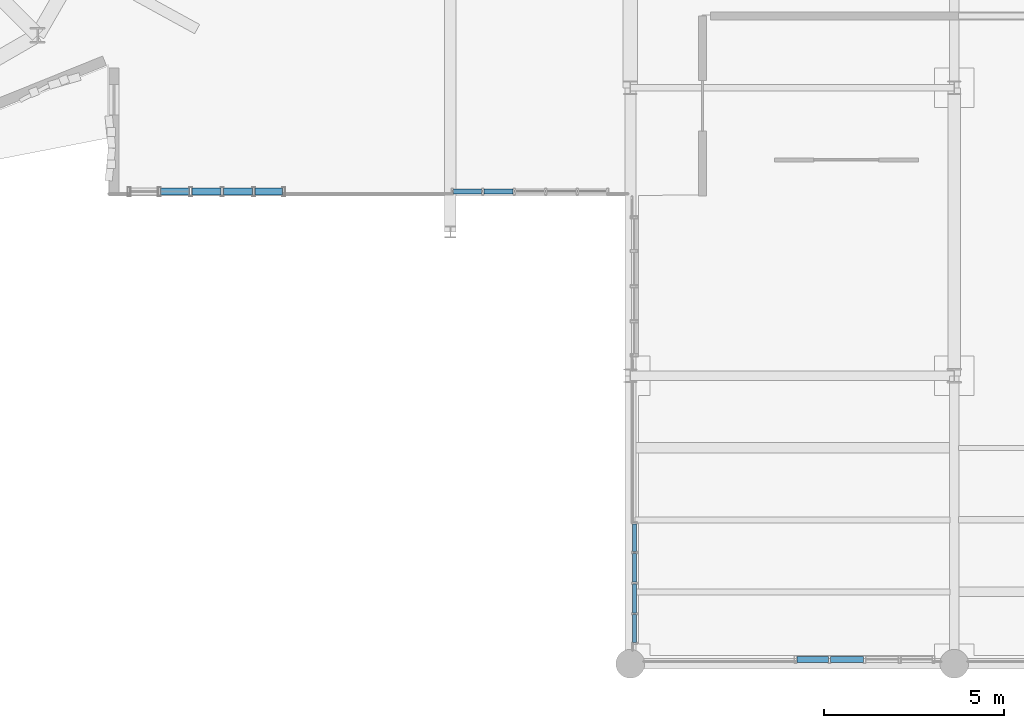
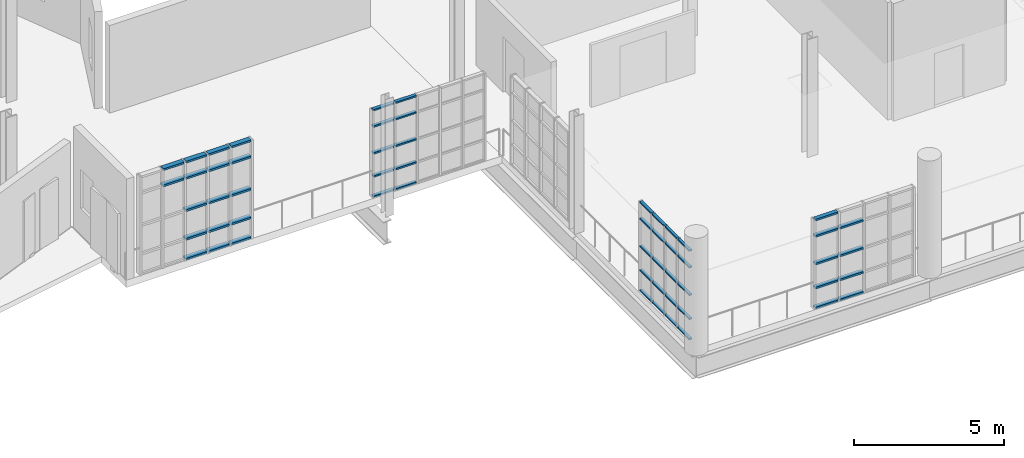
# One storey, part 63 of 122: 56 members, 4 elements without a shape of their own.
"""IFC4 building model written with IfcOpenShell, lengths in metres."""

from ifc_helpers import new_model, si_unit, direction, frame, origin, origin_2d, place, context, subcontext, project, spatial, hollow_rectangle, extrude, material, layer, layer_set, material_profile, profile_set, type_object, element, aggregate, save


model = new_model("IFC4")

# Units and contexts
model_context = context("Model", 3, precision=1e-05, world=origin(), true_north=direction((0.0, 1.0)))
body_context = subcontext(model_context, "Body", "Model", "MODEL_VIEW")
ifc_project = project(units=[si_unit("LENGTHUNIT", "METRE"), si_unit("AREAUNIT", "SQUARE_METRE"), si_unit("VOLUMEUNIT", "CUBIC_METRE"), si_unit("PLANEANGLEUNIT", "RADIAN"), si_unit("MASSUNIT", "GRAM", prefix="KILO"), si_unit("THERMODYNAMICTEMPERATUREUNIT", "KELVIN"), si_unit("POWERUNIT", "WATT")], contexts=[model_context])

# Site, building, storey
site_placement = place(None, origin())
site = spatial("IfcSite", under=ifc_project, at=site_placement, CompositionType="ELEMENT")
building_placement = place(site_placement, origin())
building = spatial("IfcBuilding", under=site, at=building_placement, Name="Zelmaris Science Centre", CompositionType="ELEMENT")
storey_placement = place(building_placement, frame((0.0, 0.0, 10.800048828125)))
storey = spatial("IfcBuildingStorey", under=building, at=storey_placement, Name="L02", CompositionType="ELEMENT", Elevation=10.800048828125)

# Curtain wall, members
ifc_material = material(Name="Anodised architectural aluminium 6063-T6", Category="aluminium")
ifc_layer_1 = layer(ifc_material, 0.219970703125, Name="Anodised architectural aluminium 6063-T6")
ifc_layer_set_1 = layer_set([ifc_layer_1], Name="Anodised architectural aluminium 6063-T6")
curtain_wall_type_1 = type_object("IfcCurtainWallType", Name="Curtain Wall CW-04", PredefinedType="USERDEFINED", material=ifc_layer_set_1)
curtain_wall_1_placement = place(storey_placement, origin())
curtain_wall_1 = element("IfcCurtainWall", 1, at=curtain_wall_1_placement, inside=storey, type_object=curtain_wall_type_1, Name="L02 Unitised curtain wall 244", ObjectType="GLAZED CURTAIN WALL", PredefinedType="USERDEFINED")
ifc_material_profile_1 = material_profile(ifc_material, hollow_rectangle(XDim=0.06005859375, YDim=0.110107421875, WallThickness=0.0029296875, at=origin_2d()), Name="ALU-TRN-60X110")
ifc_profile_set_1 = profile_set([ifc_material_profile_1], Name="Anodised architectural aluminium 6063-T6")
member_type_1 = type_object("IfcMemberType", Name="ALU-TRN-60X110", PredefinedType="USERDEFINED", material=ifc_profile_set_1)
member_1_placement = place(storey_placement, frame((108.119384765625, 8.59228515625, 0.010986328125), z_axis=(-0.000948766176, 0.999999549921, 0.0), x_axis=(0.0, 0.0, 1.0)))
member_1 = element("IfcMember", 2, at=member_1_placement, type_object=member_type_1, Name="CW-04 transom 1.1", ObjectType="TRANSOM", PredefinedType="USERDEFINED", context=body_context, shape_type="SweptSolid", body=[
    extrude(hollow_rectangle(XDim=0.06005859375, YDim=0.110107421875, WallThickness=0.0029296875, at=origin_2d()), origin(), (0.0, 0.0, 1.0), 0.77197265625),
])
member_2_placement = place(storey_placement, frame((108.119384765625, 8.59228515625, 0.8349609375), z_axis=(-0.000948766176, 0.999999549921, 0.0), x_axis=(0.0, 0.0, 1.0)))
member_2 = element("IfcMember", 3, at=member_2_placement, type_object=member_type_1, Name="CW-04 transom 1.2", ObjectType="TRANSOM", PredefinedType="USERDEFINED", context=body_context, shape_type="SweptSolid", body=[
    extrude(hollow_rectangle(XDim=0.06005859375, YDim=0.110107421875, WallThickness=0.0029296875, at=origin_2d()), origin(), (0.0, 0.0, 1.0), 0.77197265625),
])
member_3_placement = place(storey_placement, frame((108.119384765625, 8.59228515625, 1.814453125), z_axis=(-0.000948766176, 0.999999549921, 0.0), x_axis=(0.0, 0.0, 1.0)))
member_3 = element("IfcMember", 4, at=member_3_placement, type_object=member_type_1, Name="CW-04 transom 1.3", ObjectType="TRANSOM", PredefinedType="USERDEFINED", context=body_context, shape_type="SweptSolid", body=[
    extrude(hollow_rectangle(XDim=0.06005859375, YDim=0.110107421875, WallThickness=0.0029296875, at=origin_2d()), origin(), (0.0, 0.0, 1.0), 0.77197265625),
])
member_4_placement = place(storey_placement, frame((108.119384765625, 8.59228515625, 2.94384765625), z_axis=(-0.000948766176, 0.999999549921, 0.0), x_axis=(0.0, 0.0, 1.0)))
member_4 = element("IfcMember", 5, at=member_4_placement, type_object=member_type_1, Name="CW-04 transom 1.4", ObjectType="TRANSOM", PredefinedType="USERDEFINED", context=body_context, shape_type="SweptSolid", body=[
    extrude(hollow_rectangle(XDim=0.06005859375, YDim=0.110107421875, WallThickness=0.0029296875, at=origin_2d()), origin(), (0.0, 0.0, 1.0), 0.77197265625),
])
member_5_placement = place(storey_placement, frame((108.119384765625, 8.59228515625, 3.617919921875), z_axis=(-0.000948766176, 0.999999549921, 0.0), x_axis=(0.0, 0.0, 1.0)))
member_5 = element("IfcMember", 6, at=member_5_placement, type_object=member_type_1, Name="CW-04 transom 1.5", ObjectType="TRANSOM", PredefinedType="USERDEFINED", context=body_context, shape_type="SweptSolid", body=[
    extrude(hollow_rectangle(XDim=0.06005859375, YDim=0.110107421875, WallThickness=0.0029296875, at=origin_2d()), origin(), (0.0, 0.0, 1.0), 0.77197265625),
])
member_6_placement = place(storey_placement, frame((108.11865234375, 9.416259765625, 0.010986328125), z_axis=(-0.001223989291, 0.999999250925, 0.0), x_axis=(0.0, 0.0, 1.0)))
member_6 = element("IfcMember", 7, at=member_6_placement, type_object=member_type_1, Name="CW-04 transom 2.1", ObjectType="TRANSOM", PredefinedType="USERDEFINED", context=body_context, shape_type="SweptSolid", body=[
    extrude(hollow_rectangle(XDim=0.06005859375, YDim=0.110107421875, WallThickness=0.0029296875, at=origin_2d()), origin(), (0.0, 0.0, 1.0), 0.7978515625),
])
member_7_placement = place(storey_placement, frame((108.11865234375, 9.416259765625, 0.8349609375), z_axis=(-0.001223989291, 0.999999250925, 0.0), x_axis=(0.0, 0.0, 1.0)))
member_7 = element("IfcMember", 8, at=member_7_placement, type_object=member_type_1, Name="CW-04 transom 2.2", ObjectType="TRANSOM", PredefinedType="USERDEFINED", context=body_context, shape_type="SweptSolid", body=[
    extrude(hollow_rectangle(XDim=0.06005859375, YDim=0.110107421875, WallThickness=0.0029296875, at=origin_2d()), origin(), (0.0, 0.0, 1.0), 0.7978515625),
])
member_8_placement = place(storey_placement, frame((108.11865234375, 9.416259765625, 1.814453125), z_axis=(-0.001223989291, 0.999999250925, 0.0), x_axis=(0.0, 0.0, 1.0)))
member_8 = element("IfcMember", 9, at=member_8_placement, type_object=member_type_1, Name="CW-04 transom 2.3", ObjectType="TRANSOM", PredefinedType="USERDEFINED", context=body_context, shape_type="SweptSolid", body=[
    extrude(hollow_rectangle(XDim=0.06005859375, YDim=0.110107421875, WallThickness=0.0029296875, at=origin_2d()), origin(), (0.0, 0.0, 1.0), 0.7978515625),
])
member_9_placement = place(storey_placement, frame((108.11865234375, 9.416259765625, 2.94384765625), z_axis=(-0.001223989291, 0.999999250925, 0.0), x_axis=(0.0, 0.0, 1.0)))
member_9 = element("IfcMember", 10, at=member_9_placement, type_object=member_type_1, Name="CW-04 transom 2.4", ObjectType="TRANSOM", PredefinedType="USERDEFINED", context=body_context, shape_type="SweptSolid", body=[
    extrude(hollow_rectangle(XDim=0.06005859375, YDim=0.110107421875, WallThickness=0.0029296875, at=origin_2d()), origin(), (0.0, 0.0, 1.0), 0.7978515625),
])
member_10_placement = place(storey_placement, frame((108.11865234375, 9.416259765625, 3.617919921875), z_axis=(-0.001223989291, 0.999999250925, 0.0), x_axis=(0.0, 0.0, 1.0)))
member_10 = element("IfcMember", 11, at=member_10_placement, type_object=member_type_1, Name="CW-04 transom 2.5", ObjectType="TRANSOM", PredefinedType="USERDEFINED", context=body_context, shape_type="SweptSolid", body=[
    extrude(hollow_rectangle(XDim=0.06005859375, YDim=0.110107421875, WallThickness=0.0029296875, at=origin_2d()), origin(), (0.0, 0.0, 1.0), 0.7978515625),
])
member_11_placement = place(storey_placement, frame((108.11767578125, 10.26611328125, 0.010986328125), z_axis=(-0.000917711452, 0.999999578903, 0.0), x_axis=(0.0, 0.0, 1.0)))
member_11 = element("IfcMember", 12, at=member_11_placement, type_object=member_type_1, Name="CW-04 transom 3.1", ObjectType="TRANSOM", PredefinedType="USERDEFINED", context=body_context, shape_type="SweptSolid", body=[
    extrude(hollow_rectangle(XDim=0.06005859375, YDim=0.110107421875, WallThickness=0.0029296875, at=origin_2d()), origin(), (0.0, 0.0, 1.0), 0.798095703125),
])
member_12_placement = place(storey_placement, frame((108.11767578125, 10.26611328125, 0.8349609375), z_axis=(-0.000917711452, 0.999999578903, 0.0), x_axis=(0.0, 0.0, 1.0)))
member_12 = element("IfcMember", 13, at=member_12_placement, type_object=member_type_1, Name="CW-04 transom 3.2", ObjectType="TRANSOM", PredefinedType="USERDEFINED", context=body_context, shape_type="SweptSolid", body=[
    extrude(hollow_rectangle(XDim=0.06005859375, YDim=0.110107421875, WallThickness=0.0029296875, at=origin_2d()), origin(), (0.0, 0.0, 1.0), 0.798095703125),
])
member_13_placement = place(storey_placement, frame((108.11767578125, 10.26611328125, 1.814453125), z_axis=(-0.000917711452, 0.999999578903, 0.0), x_axis=(0.0, 0.0, 1.0)))
member_13 = element("IfcMember", 14, at=member_13_placement, type_object=member_type_1, Name="CW-04 transom 3.3", ObjectType="TRANSOM", PredefinedType="USERDEFINED", context=body_context, shape_type="SweptSolid", body=[
    extrude(hollow_rectangle(XDim=0.06005859375, YDim=0.110107421875, WallThickness=0.0029296875, at=origin_2d()), origin(), (0.0, 0.0, 1.0), 0.798095703125),
])
member_14_placement = place(storey_placement, frame((108.11767578125, 10.26611328125, 2.94384765625), z_axis=(-0.000917711452, 0.999999578903, 0.0), x_axis=(0.0, 0.0, 1.0)))
member_14 = element("IfcMember", 15, at=member_14_placement, type_object=member_type_1, Name="CW-04 transom 3.4", ObjectType="TRANSOM", PredefinedType="USERDEFINED", context=body_context, shape_type="SweptSolid", body=[
    extrude(hollow_rectangle(XDim=0.06005859375, YDim=0.110107421875, WallThickness=0.0029296875, at=origin_2d()), origin(), (0.0, 0.0, 1.0), 0.798095703125),
])
member_15_placement = place(storey_placement, frame((108.11767578125, 10.26611328125, 3.617919921875), z_axis=(-0.000917711452, 0.999999578903, 0.0), x_axis=(0.0, 0.0, 1.0)))
member_15 = element("IfcMember", 16, at=member_15_placement, type_object=member_type_1, Name="CW-04 transom 3.5", ObjectType="TRANSOM", PredefinedType="USERDEFINED", context=body_context, shape_type="SweptSolid", body=[
    extrude(hollow_rectangle(XDim=0.06005859375, YDim=0.110107421875, WallThickness=0.0029296875, at=origin_2d()), origin(), (0.0, 0.0, 1.0), 0.798095703125),
])
member_16_placement = place(storey_placement, frame((108.11669921875, 11.1162109375, 0.010986328125), z_axis=(-0.000948766176, 0.999999549921, 0.0), x_axis=(0.0, 0.0, 1.0)))
member_16 = element("IfcMember", 17, at=member_16_placement, type_object=member_type_1, Name="CW-04 transom 4.1", ObjectType="TRANSOM", PredefinedType="USERDEFINED", context=body_context, shape_type="SweptSolid", body=[
    extrude(hollow_rectangle(XDim=0.06005859375, YDim=0.110107421875, WallThickness=0.0029296875, at=origin_2d()), origin(), (0.0, 0.0, 1.0), 0.77197265625),
])
member_17_placement = place(storey_placement, frame((108.11669921875, 11.1162109375, 0.8349609375), z_axis=(-0.000948766176, 0.999999549921, 0.0), x_axis=(0.0, 0.0, 1.0)))
member_17 = element("IfcMember", 18, at=member_17_placement, type_object=member_type_1, Name="CW-04 transom 4.2", ObjectType="TRANSOM", PredefinedType="USERDEFINED", context=body_context, shape_type="SweptSolid", body=[
    extrude(hollow_rectangle(XDim=0.06005859375, YDim=0.110107421875, WallThickness=0.0029296875, at=origin_2d()), origin(), (0.0, 0.0, 1.0), 0.77197265625),
])
member_18_placement = place(storey_placement, frame((108.11669921875, 11.1162109375, 1.814453125), z_axis=(-0.000948766176, 0.999999549921, 0.0), x_axis=(0.0, 0.0, 1.0)))
member_18 = element("IfcMember", 19, at=member_18_placement, type_object=member_type_1, Name="CW-04 transom 4.3", ObjectType="TRANSOM", PredefinedType="USERDEFINED", context=body_context, shape_type="SweptSolid", body=[
    extrude(hollow_rectangle(XDim=0.06005859375, YDim=0.110107421875, WallThickness=0.0029296875, at=origin_2d()), origin(), (0.0, 0.0, 1.0), 0.77197265625),
])
member_19_placement = place(storey_placement, frame((108.11669921875, 11.1162109375, 2.94384765625), z_axis=(-0.000948766176, 0.999999549921, 0.0), x_axis=(0.0, 0.0, 1.0)))
member_19 = element("IfcMember", 20, at=member_19_placement, type_object=member_type_1, Name="CW-04 transom 4.4", ObjectType="TRANSOM", PredefinedType="USERDEFINED", context=body_context, shape_type="SweptSolid", body=[
    extrude(hollow_rectangle(XDim=0.06005859375, YDim=0.110107421875, WallThickness=0.0029296875, at=origin_2d()), origin(), (0.0, 0.0, 1.0), 0.77197265625),
])
member_20_placement = place(storey_placement, frame((108.11669921875, 11.1162109375, 3.617919921875), z_axis=(-0.000948766176, 0.999999549921, 0.0), x_axis=(0.0, 0.0, 1.0)))
member_20 = element("IfcMember", 21, at=member_20_placement, type_object=member_type_1, Name="CW-04 transom 4.5", ObjectType="TRANSOM", PredefinedType="USERDEFINED", context=body_context, shape_type="SweptSolid", body=[
    extrude(hollow_rectangle(XDim=0.06005859375, YDim=0.110107421875, WallThickness=0.0029296875, at=origin_2d()), origin(), (0.0, 0.0, 1.0), 0.77197265625),
])
aggregate(curtain_wall_1, [member_1, member_2, member_3, member_4, member_5, member_6, member_7, member_8, member_9, member_10, member_11, member_12, member_13, member_14, member_15, member_16, member_17, member_18, member_19, member_20])

ifc_layer_2 = layer(ifc_material, 0.2099609375, Name="Anodised architectural aluminium 6063-T6")
ifc_layer_set_2 = layer_set([ifc_layer_2], Name="Anodised architectural aluminium 6063-T6")
curtain_wall_type_2 = type_object("IfcCurtainWallType", Name="Curtain Wall CW-03", PredefinedType="USERDEFINED", material=ifc_layer_set_2)
curtain_wall_2_placement = place(storey_placement, origin())
curtain_wall_2 = element("IfcCurtainWall", 22, at=curtain_wall_2_placement, inside=storey, type_object=curtain_wall_type_2, Name="L02 Unitised curtain wall 247", ObjectType="GLAZED CURTAIN WALL", PredefinedType="USERDEFINED")
ifc_material_profile_2 = material_profile(ifc_material, hollow_rectangle(XDim=0.06494140625, YDim=0.1298828125, WallThickness=0.00341796875, at=origin_2d()), Name="ALU-TRN-65X130")
ifc_profile_set_2 = profile_set([ifc_material_profile_2], Name="Anodised architectural aluminium 6063-T6")
member_type_2 = type_object("IfcMemberType", Name="ALU-TRN-65X130", PredefinedType="USERDEFINED", material=ifc_profile_set_2)
member_21_placement = place(storey_placement, frame((104.74755859375, 21.1201171875, 0.013427734375), z_axis=(-1.0, 0.0, 0.0), x_axis=(0.0, 0.0, 1.0)))
member_21 = element("IfcMember", 23, at=member_21_placement, type_object=member_type_2, Name="CW-03 transom 4.1", ObjectType="TRANSOM", PredefinedType="USERDEFINED", context=body_context, shape_type="SweptSolid", body=[
    extrude(hollow_rectangle(XDim=0.06494140625, YDim=0.1298828125, WallThickness=0.00341796875, at=origin_2d()), origin(), (0.0, 0.0, 1.0), 0.817626953125),
])
member_22_placement = place(storey_placement, frame((104.74755859375, 21.1201171875, 0.8349609375), z_axis=(-1.0, 0.0, 0.0), x_axis=(0.0, 0.0, 1.0)))
member_22 = element("IfcMember", 24, at=member_22_placement, type_object=member_type_2, Name="CW-03 transom 4.2", ObjectType="TRANSOM", PredefinedType="USERDEFINED", context=body_context, shape_type="SweptSolid", body=[
    extrude(hollow_rectangle(XDim=0.06494140625, YDim=0.1298828125, WallThickness=0.00341796875, at=origin_2d()), origin(), (0.0, 0.0, 1.0), 0.817626953125),
])
member_23_placement = place(storey_placement, frame((104.74755859375, 21.1201171875, 1.779052734375), z_axis=(-1.0, 0.0, 0.0), x_axis=(0.0, 0.0, 1.0)))
member_23 = element("IfcMember", 25, at=member_23_placement, type_object=member_type_2, Name="CW-03 transom 4.3", ObjectType="TRANSOM", PredefinedType="USERDEFINED", context=body_context, shape_type="SweptSolid", body=[
    extrude(hollow_rectangle(XDim=0.06494140625, YDim=0.1298828125, WallThickness=0.00341796875, at=origin_2d()), origin(), (0.0, 0.0, 1.0), 0.817626953125),
])
member_24_placement = place(storey_placement, frame((104.74755859375, 21.1201171875, 2.873046875), z_axis=(-1.0, 0.0, 0.0), x_axis=(0.0, 0.0, 1.0)))
member_24 = element("IfcMember", 26, at=member_24_placement, type_object=member_type_2, Name="CW-03 transom 4.4", ObjectType="TRANSOM", PredefinedType="USERDEFINED", context=body_context, shape_type="SweptSolid", body=[
    extrude(hollow_rectangle(XDim=0.06494140625, YDim=0.1298828125, WallThickness=0.00341796875, at=origin_2d()), origin(), (0.0, 0.0, 1.0), 0.817626953125),
])
member_25_placement = place(storey_placement, frame((104.74755859375, 21.1201171875, 3.54443359375), z_axis=(-1.0, 0.0, 0.0), x_axis=(0.0, 0.0, 1.0)))
member_25 = element("IfcMember", 27, at=member_25_placement, type_object=member_type_2, Name="CW-03 transom 4.5", ObjectType="TRANSOM", PredefinedType="USERDEFINED", context=body_context, shape_type="SweptSolid", body=[
    extrude(hollow_rectangle(XDim=0.06494140625, YDim=0.1298828125, WallThickness=0.00341796875, at=origin_2d()), origin(), (0.0, 0.0, 1.0), 0.817626953125),
])
member_26_placement = place(storey_placement, frame((103.872802734375, 21.1201171875, 0.013427734375), z_axis=(-1.0, 0.0, 0.0), x_axis=(0.0, 0.0, 1.0)))
member_26 = element("IfcMember", 28, at=member_26_placement, type_object=member_type_2, Name="CW-03 transom 5.1", ObjectType="TRANSOM", PredefinedType="USERDEFINED", context=body_context, shape_type="SweptSolid", body=[
    extrude(hollow_rectangle(XDim=0.06494140625, YDim=0.1298828125, WallThickness=0.00341796875, at=origin_2d()), origin(), (0.0, 0.0, 1.0), 0.7890625),
])
member_27_placement = place(storey_placement, frame((103.872802734375, 21.1201171875, 0.8349609375), z_axis=(-1.0, 0.0, 0.0), x_axis=(0.0, 0.0, 1.0)))
member_27 = element("IfcMember", 29, at=member_27_placement, type_object=member_type_2, Name="CW-03 transom 5.2", ObjectType="TRANSOM", PredefinedType="USERDEFINED", context=body_context, shape_type="SweptSolid", body=[
    extrude(hollow_rectangle(XDim=0.06494140625, YDim=0.1298828125, WallThickness=0.00341796875, at=origin_2d()), origin(), (0.0, 0.0, 1.0), 0.7890625),
])
member_28_placement = place(storey_placement, frame((103.872802734375, 21.1201171875, 1.779052734375), z_axis=(-1.0, 0.0, 0.0), x_axis=(0.0, 0.0, 1.0)))
member_28 = element("IfcMember", 30, at=member_28_placement, type_object=member_type_2, Name="CW-03 transom 5.3", ObjectType="TRANSOM", PredefinedType="USERDEFINED", context=body_context, shape_type="SweptSolid", body=[
    extrude(hollow_rectangle(XDim=0.06494140625, YDim=0.1298828125, WallThickness=0.00341796875, at=origin_2d()), origin(), (0.0, 0.0, 1.0), 0.7890625),
])
member_29_placement = place(storey_placement, frame((103.872802734375, 21.1201171875, 2.873046875), z_axis=(-1.0, 0.0, 0.0), x_axis=(0.0, 0.0, 1.0)))
member_29 = element("IfcMember", 31, at=member_29_placement, type_object=member_type_2, Name="CW-03 transom 5.4", ObjectType="TRANSOM", PredefinedType="USERDEFINED", context=body_context, shape_type="SweptSolid", body=[
    extrude(hollow_rectangle(XDim=0.06494140625, YDim=0.1298828125, WallThickness=0.00341796875, at=origin_2d()), origin(), (0.0, 0.0, 1.0), 0.7890625),
])
member_30_placement = place(storey_placement, frame((103.872802734375, 21.1201171875, 3.54443359375), z_axis=(-1.0, 0.0, 0.0), x_axis=(0.0, 0.0, 1.0)))
member_30 = element("IfcMember", 32, at=member_30_placement, type_object=member_type_2, Name="CW-03 transom 5.5", ObjectType="TRANSOM", PredefinedType="USERDEFINED", context=body_context, shape_type="SweptSolid", body=[
    extrude(hollow_rectangle(XDim=0.06494140625, YDim=0.1298828125, WallThickness=0.00341796875, at=origin_2d()), origin(), (0.0, 0.0, 1.0), 0.7890625),
])
aggregate(curtain_wall_2, [member_21, member_22, member_23, member_24, member_25, member_26, member_27, member_28, member_29, member_30])

ifc_layer_3 = layer(ifc_material, 0.199951171875, Name="Anodised architectural aluminium 6063-T6")
ifc_layer_set_3 = layer_set([ifc_layer_3], Name="Anodised architectural aluminium 6063-T6")
curtain_wall_type_3 = type_object("IfcCurtainWallType", Name="Curtain Wall CW-02", PredefinedType="USERDEFINED", material=ifc_layer_set_3)
curtain_wall_3_placement = place(storey_placement, origin())
curtain_wall_3 = element("IfcCurtainWall", 33, at=curtain_wall_3_placement, inside=storey, type_object=curtain_wall_type_3, Name="L02 Unitised curtain wall 242", ObjectType="GLAZED CURTAIN WALL", PredefinedType="USERDEFINED")
ifc_material_profile_3 = material_profile(ifc_material, hollow_rectangle(XDim=0.074951171875, YDim=0.159912109375, WallThickness=0.00390625, at=origin_2d()), Name="ALU-TRN-75X160")
ifc_profile_set_3 = profile_set([ifc_material_profile_3], Name="Anodised architectural aluminium 6063-T6")
member_type_3 = type_object("IfcMemberType", Name="ALU-TRN-75X160", PredefinedType="USERDEFINED", material=ifc_profile_set_3)
member_31_placement = place(storey_placement, frame((114.4765625, 8.1201171875, 0.0185546875), z_axis=(-1.0, 0.0, 0.0), x_axis=(0.0, 0.0, 1.0)))
member_31 = element("IfcMember", 34, at=member_31_placement, type_object=member_type_3, Name="CW-02 transom 3.1", ObjectType="TRANSOM", PredefinedType="USERDEFINED", context=body_context, shape_type="SweptSolid", body=[
    extrude(hollow_rectangle(XDim=0.074951171875, YDim=0.159912109375, WallThickness=0.00390625, at=origin_2d()), origin(), (0.0, 0.0, 1.0), 0.907958984375),
])
member_32_placement = place(storey_placement, frame((114.4765625, 8.1201171875, 0.8349609375), z_axis=(-1.0, 0.0, 0.0), x_axis=(0.0, 0.0, 1.0)))
member_32 = element("IfcMember", 35, at=member_32_placement, type_object=member_type_3, Name="CW-02 transom 3.2", ObjectType="TRANSOM", PredefinedType="USERDEFINED", context=body_context, shape_type="SweptSolid", body=[
    extrude(hollow_rectangle(XDim=0.074951171875, YDim=0.159912109375, WallThickness=0.00390625, at=origin_2d()), origin(), (0.0, 0.0, 1.0), 0.907958984375),
])
member_33_placement = place(storey_placement, frame((114.4765625, 8.1201171875, 1.8154296875), z_axis=(-1.0, 0.0, 0.0), x_axis=(0.0, 0.0, 1.0)))
member_33 = element("IfcMember", 36, at=member_33_placement, type_object=member_type_3, Name="CW-02 transom 3.3", ObjectType="TRANSOM", PredefinedType="USERDEFINED", context=body_context, shape_type="SweptSolid", body=[
    extrude(hollow_rectangle(XDim=0.074951171875, YDim=0.159912109375, WallThickness=0.00390625, at=origin_2d()), origin(), (0.0, 0.0, 1.0), 0.907958984375),
])
member_34_placement = place(storey_placement, frame((114.4765625, 8.1201171875, 2.946044921875), z_axis=(-1.0, 0.0, 0.0), x_axis=(0.0, 0.0, 1.0)))
member_34 = element("IfcMember", 37, at=member_34_placement, type_object=member_type_3, Name="CW-02 transom 3.4", ObjectType="TRANSOM", PredefinedType="USERDEFINED", context=body_context, shape_type="SweptSolid", body=[
    extrude(hollow_rectangle(XDim=0.074951171875, YDim=0.159912109375, WallThickness=0.00390625, at=origin_2d()), origin(), (0.0, 0.0, 1.0), 0.907958984375),
])
member_35_placement = place(storey_placement, frame((113.50146484375, 8.1201171875, 0.0185546875), z_axis=(-1.0, 0.0, 0.0), x_axis=(0.0, 0.0, 1.0)))
member_35 = element("IfcMember", 38, at=member_35_placement, type_object=member_type_3, Name="CW-02 transom 4.1", ObjectType="TRANSOM", PredefinedType="USERDEFINED", context=body_context, shape_type="SweptSolid", body=[
    extrude(hollow_rectangle(XDim=0.074951171875, YDim=0.159912109375, WallThickness=0.00390625, at=origin_2d()), origin(), (0.0, 0.0, 1.0), 0.87451171875),
])
member_36_placement = place(storey_placement, frame((113.50146484375, 8.1201171875, 0.8349609375), z_axis=(-1.0, 0.0, 0.0), x_axis=(0.0, 0.0, 1.0)))
member_36 = element("IfcMember", 39, at=member_36_placement, type_object=member_type_3, Name="CW-02 transom 4.2", ObjectType="TRANSOM", PredefinedType="USERDEFINED", context=body_context, shape_type="SweptSolid", body=[
    extrude(hollow_rectangle(XDim=0.074951171875, YDim=0.159912109375, WallThickness=0.00390625, at=origin_2d()), origin(), (0.0, 0.0, 1.0), 0.87451171875),
])
member_37_placement = place(storey_placement, frame((113.50146484375, 8.1201171875, 1.8154296875), z_axis=(-1.0, 0.0, 0.0), x_axis=(0.0, 0.0, 1.0)))
member_37 = element("IfcMember", 40, at=member_37_placement, type_object=member_type_3, Name="CW-02 transom 4.3", ObjectType="TRANSOM", PredefinedType="USERDEFINED", context=body_context, shape_type="SweptSolid", body=[
    extrude(hollow_rectangle(XDim=0.074951171875, YDim=0.159912109375, WallThickness=0.00390625, at=origin_2d()), origin(), (0.0, 0.0, 1.0), 0.87451171875),
])
member_38_placement = place(storey_placement, frame((113.50146484375, 8.1201171875, 2.946044921875), z_axis=(-1.0, 0.0, 0.0), x_axis=(0.0, 0.0, 1.0)))
member_38 = element("IfcMember", 41, at=member_38_placement, type_object=member_type_3, Name="CW-02 transom 4.4", ObjectType="TRANSOM", PredefinedType="USERDEFINED", context=body_context, shape_type="SweptSolid", body=[
    extrude(hollow_rectangle(XDim=0.074951171875, YDim=0.159912109375, WallThickness=0.00390625, at=origin_2d()), origin(), (0.0, 0.0, 1.0), 0.87451171875),
])
member_39_placement = place(storey_placement, frame((113.50146484375, 8.1201171875, 3.612548828125), z_axis=(-1.0, 0.0, 0.0), x_axis=(0.0, 0.0, 1.0)))
member_39 = element("IfcMember", 42, at=member_39_placement, type_object=member_type_3, Name="CW-02 transom 4.5", ObjectType="TRANSOM", PredefinedType="USERDEFINED", context=body_context, shape_type="SweptSolid", body=[
    extrude(hollow_rectangle(XDim=0.074951171875, YDim=0.159912109375, WallThickness=0.00390625, at=origin_2d()), origin(), (0.0, 0.0, 1.0), 0.87451171875),
])
aggregate(curtain_wall_3, [member_31, member_32, member_33, member_34, member_35, member_36, member_37, member_38, member_39])

ifc_layer_4 = layer(ifc_material, 0.18994140625, Name="Anodised architectural aluminium 6063-T6")
ifc_layer_set_4 = layer_set([ifc_layer_4], Name="Anodised architectural aluminium 6063-T6")
curtain_wall_type_4 = type_object("IfcCurtainWallType", Name="Curtain Wall CW-01", PredefinedType="USERDEFINED", material=ifc_layer_set_4)
curtain_wall_4_placement = place(storey_placement, origin())
curtain_wall_4 = element("IfcCurtainWall", 43, at=curtain_wall_4_placement, inside=storey, type_object=curtain_wall_type_4, Name="L02 Unitised curtain wall 249", ObjectType="GLAZED CURTAIN WALL", PredefinedType="USERDEFINED")
ifc_material_profile_4 = material_profile(ifc_material, hollow_rectangle(XDim=0.080078125, YDim=0.18994140625, WallThickness=0.00439453125, at=origin_2d()), Name="ALU-TRN-80X190")
ifc_profile_set_4 = profile_set([ifc_material_profile_4], Name="Anodised architectural aluminium 6063-T6")
member_type_4 = type_object("IfcMemberType", Name="ALU-TRN-80X190", PredefinedType="USERDEFINED", material=ifc_profile_set_4)
member_40_placement = place(storey_placement, frame((98.34130859375, 21.1201171875, 0.02099609375), z_axis=(-1.0, 0.0, 0.0), x_axis=(0.0, 0.0, 1.0)))
member_40 = element("IfcMember", 44, at=member_40_placement, type_object=member_type_4, Name="CW-01 transom 1.1", ObjectType="TRANSOM", PredefinedType="USERDEFINED", context=body_context, shape_type="SweptSolid", body=[
    extrude(hollow_rectangle(XDim=0.080078125, YDim=0.18994140625, WallThickness=0.00439453125, at=origin_2d()), origin(), (0.0, 0.0, 1.0), 0.7666015625),
])
member_41_placement = place(storey_placement, frame((98.34130859375, 21.1201171875, 0.8349609375), z_axis=(-1.0, 0.0, 0.0), x_axis=(0.0, 0.0, 1.0)))
member_41 = element("IfcMember", 45, at=member_41_placement, type_object=member_type_4, Name="CW-01 transom 1.2", ObjectType="TRANSOM", PredefinedType="USERDEFINED", context=body_context, shape_type="SweptSolid", body=[
    extrude(hollow_rectangle(XDim=0.080078125, YDim=0.18994140625, WallThickness=0.00439453125, at=origin_2d()), origin(), (0.0, 0.0, 1.0), 0.7666015625),
])
member_42_placement = place(storey_placement, frame((98.34130859375, 21.1201171875, 2.00244140625), z_axis=(-1.0, 0.0, 0.0), x_axis=(0.0, 0.0, 1.0)))
member_42 = element("IfcMember", 46, at=member_42_placement, type_object=member_type_4, Name="CW-01 transom 1.3", ObjectType="TRANSOM", PredefinedType="USERDEFINED", context=body_context, shape_type="SweptSolid", body=[
    extrude(hollow_rectangle(XDim=0.080078125, YDim=0.18994140625, WallThickness=0.00439453125, at=origin_2d()), origin(), (0.0, 0.0, 1.0), 0.7666015625),
])
member_43_placement = place(storey_placement, frame((98.34130859375, 21.1201171875, 3.320068359375), z_axis=(-1.0, 0.0, 0.0), x_axis=(0.0, 0.0, 1.0)))
member_43 = element("IfcMember", 47, at=member_43_placement, type_object=member_type_4, Name="CW-01 transom 1.4", ObjectType="TRANSOM", PredefinedType="USERDEFINED", context=body_context, shape_type="SweptSolid", body=[
    extrude(hollow_rectangle(XDim=0.080078125, YDim=0.18994140625, WallThickness=0.00439453125, at=origin_2d()), origin(), (0.0, 0.0, 1.0), 0.7666015625),
])
member_44_placement = place(storey_placement, frame((98.34130859375, 21.1201171875, 3.98388671875), z_axis=(-1.0, 0.0, 0.0), x_axis=(0.0, 0.0, 1.0)))
member_44 = element("IfcMember", 48, at=member_44_placement, type_object=member_type_4, Name="CW-01 transom 1.5", ObjectType="TRANSOM", PredefinedType="USERDEFINED", context=body_context, shape_type="SweptSolid", body=[
    extrude(hollow_rectangle(XDim=0.080078125, YDim=0.18994140625, WallThickness=0.00439453125, at=origin_2d()), origin(), (0.0, 0.0, 1.0), 0.7666015625),
])
member_45_placement = place(storey_placement, frame((97.502685546875, 21.1201171875, 0.02099609375), z_axis=(-1.0, 0.0, 0.0), x_axis=(0.0, 0.0, 1.0)))
member_45 = element("IfcMember", 49, at=member_45_placement, type_object=member_type_4, Name="CW-01 transom 2.1", ObjectType="TRANSOM", PredefinedType="USERDEFINED", context=body_context, shape_type="SweptSolid", body=[
    extrude(hollow_rectangle(XDim=0.080078125, YDim=0.18994140625, WallThickness=0.00439453125, at=origin_2d()), origin(), (0.0, 0.0, 1.0), 0.802490234375),
])
member_46_placement = place(storey_placement, frame((97.502685546875, 21.1201171875, 0.8349609375), z_axis=(-1.0, 0.0, 0.0), x_axis=(0.0, 0.0, 1.0)))
member_46 = element("IfcMember", 50, at=member_46_placement, type_object=member_type_4, Name="CW-01 transom 2.2", ObjectType="TRANSOM", PredefinedType="USERDEFINED", context=body_context, shape_type="SweptSolid", body=[
    extrude(hollow_rectangle(XDim=0.080078125, YDim=0.18994140625, WallThickness=0.00439453125, at=origin_2d()), origin(), (0.0, 0.0, 1.0), 0.802490234375),
])
member_47_placement = place(storey_placement, frame((97.502685546875, 21.1201171875, 2.00244140625), z_axis=(-1.0, 0.0, 0.0), x_axis=(0.0, 0.0, 1.0)))
member_47 = element("IfcMember", 51, at=member_47_placement, type_object=member_type_4, Name="CW-01 transom 2.3", ObjectType="TRANSOM", PredefinedType="USERDEFINED", context=body_context, shape_type="SweptSolid", body=[
    extrude(hollow_rectangle(XDim=0.080078125, YDim=0.18994140625, WallThickness=0.00439453125, at=origin_2d()), origin(), (0.0, 0.0, 1.0), 0.802490234375),
])
member_48_placement = place(storey_placement, frame((97.502685546875, 21.1201171875, 3.320068359375), z_axis=(-1.0, 0.0, 0.0), x_axis=(0.0, 0.0, 1.0)))
member_48 = element("IfcMember", 52, at=member_48_placement, type_object=member_type_4, Name="CW-01 transom 2.4", ObjectType="TRANSOM", PredefinedType="USERDEFINED", context=body_context, shape_type="SweptSolid", body=[
    extrude(hollow_rectangle(XDim=0.080078125, YDim=0.18994140625, WallThickness=0.00439453125, at=origin_2d()), origin(), (0.0, 0.0, 1.0), 0.802490234375),
])
member_49_placement = place(storey_placement, frame((97.502685546875, 21.1201171875, 3.98388671875), z_axis=(-1.0, 0.0, 0.0), x_axis=(0.0, 0.0, 1.0)))
member_49 = element("IfcMember", 53, at=member_49_placement, type_object=member_type_4, Name="CW-01 transom 2.5", ObjectType="TRANSOM", PredefinedType="USERDEFINED", context=body_context, shape_type="SweptSolid", body=[
    extrude(hollow_rectangle(XDim=0.080078125, YDim=0.18994140625, WallThickness=0.00439453125, at=origin_2d()), origin(), (0.0, 0.0, 1.0), 0.802490234375),
])
member_50_placement = place(storey_placement, frame((96.628173828125, 21.1201171875, 0.02099609375), z_axis=(-1.0, 0.0, 0.0), x_axis=(0.0, 0.0, 1.0)))
member_50 = element("IfcMember", 54, at=member_50_placement, type_object=member_type_4, Name="CW-01 transom 3.1", ObjectType="TRANSOM", PredefinedType="USERDEFINED", context=body_context, shape_type="SweptSolid", body=[
    extrude(hollow_rectangle(XDim=0.080078125, YDim=0.18994140625, WallThickness=0.00439453125, at=origin_2d()), origin(), (0.0, 0.0, 1.0), 0.802734375),
])
member_51_placement = place(storey_placement, frame((96.628173828125, 21.1201171875, 0.8349609375), z_axis=(-1.0, 0.0, 0.0), x_axis=(0.0, 0.0, 1.0)))
member_51 = element("IfcMember", 55, at=member_51_placement, type_object=member_type_4, Name="CW-01 transom 3.2", ObjectType="TRANSOM", PredefinedType="USERDEFINED", context=body_context, shape_type="SweptSolid", body=[
    extrude(hollow_rectangle(XDim=0.080078125, YDim=0.18994140625, WallThickness=0.00439453125, at=origin_2d()), origin(), (0.0, 0.0, 1.0), 0.802734375),
])
member_52_placement = place(storey_placement, frame((96.628173828125, 21.1201171875, 2.00244140625), z_axis=(-1.0, 0.0, 0.0), x_axis=(0.0, 0.0, 1.0)))
member_52 = element("IfcMember", 56, at=member_52_placement, type_object=member_type_4, Name="CW-01 transom 3.3", ObjectType="TRANSOM", PredefinedType="USERDEFINED", context=body_context, shape_type="SweptSolid", body=[
    extrude(hollow_rectangle(XDim=0.080078125, YDim=0.18994140625, WallThickness=0.00439453125, at=origin_2d()), origin(), (0.0, 0.0, 1.0), 0.802734375),
])
member_53_placement = place(storey_placement, frame((96.628173828125, 21.1201171875, 3.320068359375), z_axis=(-1.0, 0.0, 0.0), x_axis=(0.0, 0.0, 1.0)))
member_53 = element("IfcMember", 57, at=member_53_placement, type_object=member_type_4, Name="CW-01 transom 3.4", ObjectType="TRANSOM", PredefinedType="USERDEFINED", context=body_context, shape_type="SweptSolid", body=[
    extrude(hollow_rectangle(XDim=0.080078125, YDim=0.18994140625, WallThickness=0.00439453125, at=origin_2d()), origin(), (0.0, 0.0, 1.0), 0.802734375),
])
member_54_placement = place(storey_placement, frame((96.628173828125, 21.1201171875, 3.98388671875), z_axis=(-1.0, 0.0, 0.0), x_axis=(0.0, 0.0, 1.0)))
member_54 = element("IfcMember", 58, at=member_54_placement, type_object=member_type_4, Name="CW-01 transom 3.5", ObjectType="TRANSOM", PredefinedType="USERDEFINED", context=body_context, shape_type="SweptSolid", body=[
    extrude(hollow_rectangle(XDim=0.080078125, YDim=0.18994140625, WallThickness=0.00439453125, at=origin_2d()), origin(), (0.0, 0.0, 1.0), 0.802734375),
])
member_55_placement = place(storey_placement, frame((95.75341796875, 21.1201171875, 3.320068359375), z_axis=(-1.0, 0.0, 0.0), x_axis=(0.0, 0.0, 1.0)))
member_55 = element("IfcMember", 59, at=member_55_placement, type_object=member_type_4, Name="CW-01 transom 4.4", ObjectType="TRANSOM", PredefinedType="USERDEFINED", context=body_context, shape_type="SweptSolid", body=[
    extrude(hollow_rectangle(XDim=0.080078125, YDim=0.18994140625, WallThickness=0.00439453125, at=origin_2d()), origin(), (0.0, 0.0, 1.0), 0.802734375),
])
member_56_placement = place(storey_placement, frame((95.75341796875, 21.1201171875, 3.98388671875), z_axis=(-1.0, 0.0, 0.0), x_axis=(0.0, 0.0, 1.0)))
member_56 = element("IfcMember", 60, at=member_56_placement, type_object=member_type_4, Name="CW-01 transom 4.5", ObjectType="TRANSOM", PredefinedType="USERDEFINED", context=body_context, shape_type="SweptSolid", body=[
    extrude(hollow_rectangle(XDim=0.080078125, YDim=0.18994140625, WallThickness=0.00439453125, at=origin_2d()), origin(), (0.0, 0.0, 1.0), 0.802734375),
])
aggregate(curtain_wall_4, [member_40, member_41, member_42, member_43, member_44, member_45, member_46, member_47, member_48, member_49, member_50, member_51, member_52, member_53, member_54, member_55, member_56])

save(model, "model.ifc")
